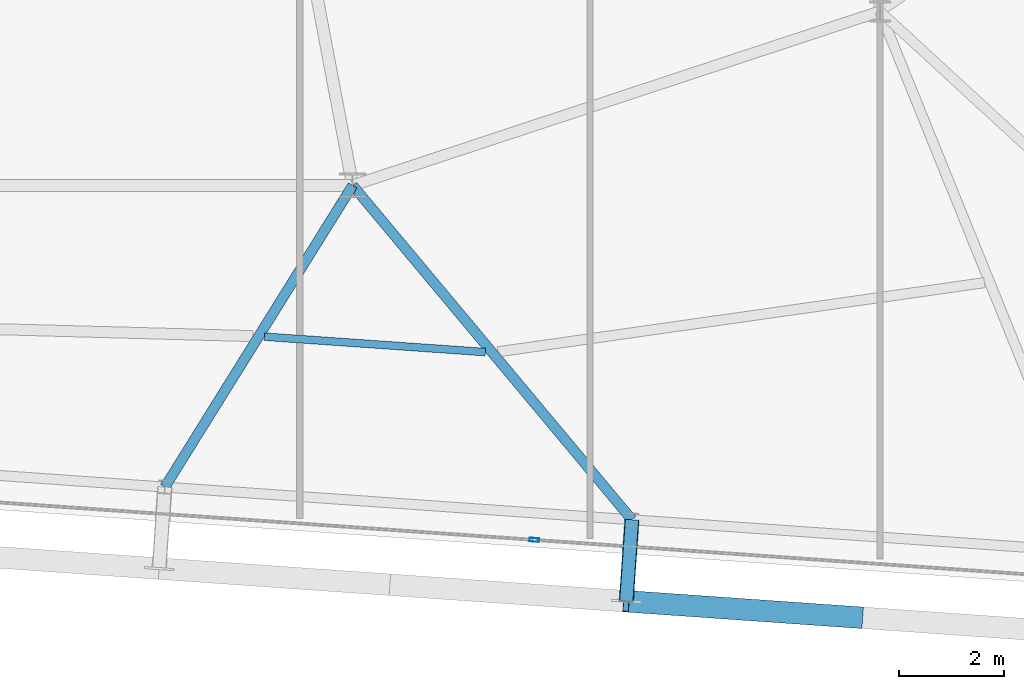
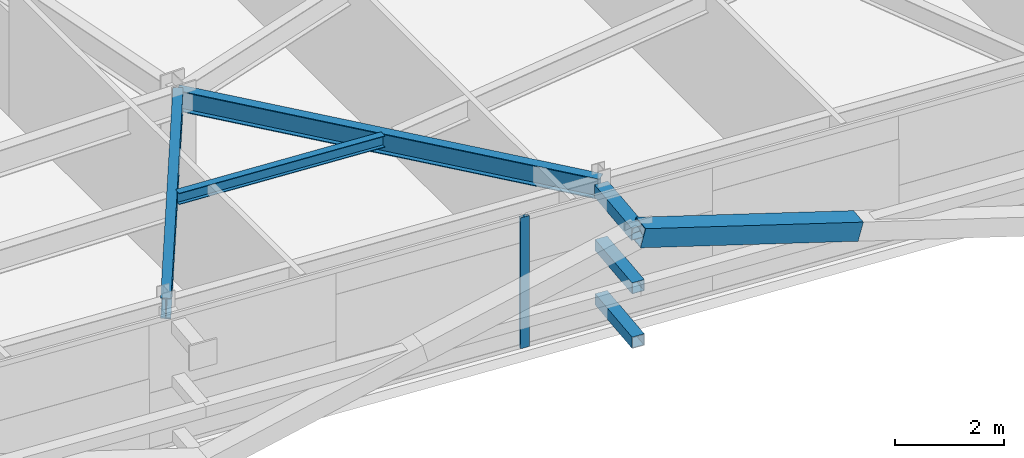
# One storey, part 13 of 39: 5 members, 3 beams, 1 element without a shape of its own.
"""IFC4 building model written with IfcOpenShell, lengths in metres."""

from ifc_helpers import new_model, si_unit, direction, frame, origin, origin_2d, place, context, subcontext, project, spatial, hollow_rectangle, i_section, extrude, source, transform, mapped, material, layer, layer_set, material_profile, profile_set, type_object, element, aggregate, save


model = new_model("IFC4")

# Units and contexts
model_context = context("Model", 3, precision=1e-05, world=origin(), true_north=direction((0.0, 1.0)))
body_context = subcontext(model_context, "Body", "Model", "MODEL_VIEW")
ifc_project = project(units=[si_unit("LENGTHUNIT", "METRE"), si_unit("AREAUNIT", "SQUARE_METRE"), si_unit("VOLUMEUNIT", "CUBIC_METRE"), si_unit("PLANEANGLEUNIT", "RADIAN"), si_unit("MASSUNIT", "GRAM", prefix="KILO")], contexts=[model_context])

# Site, building, storey
site_placement = place(None, origin())
site = spatial("IfcSite", under=ifc_project, at=site_placement, CompositionType="ELEMENT")
building_placement = place(site_placement, origin())
building = spatial("IfcBuilding", under=site, at=building_placement, Name="Taldren Reach Tower", CompositionType="ELEMENT")
storey_placement = place(building_placement, frame((0.0, 0.0, 123.550048828125)))
storey = spatial("IfcBuildingStorey", under=building, at=storey_placement, Name="L37", CompositionType="ELEMENT", Elevation=123.550048828125)

# Members
ifc_material_1 = material(Name="Steel Gr 450 (C450L0)", Category="steel")
ifc_material_profile_1 = material_profile(ifc_material_1, hollow_rectangle(XDim=0.27490234375, YDim=0.27490234375, WallThickness=0.00927734375, at=origin_2d()), Name="275x275x9.3SHS")
ifc_profile_set_1 = profile_set([ifc_material_profile_1], Name="Steel Gr 450 (C450L0)")
member_type_1 = type_object("IfcMemberType", Name="MB-TIE273", PredefinedType="STRUT", material=ifc_profile_set_1)
shared_shape_1 = source(origin(), body_context, "Body", "SweptSolid", [
    extrude(hollow_rectangle(XDim=0.27490234375, YDim=0.27490234375, WallThickness=0.00927734375, at=origin_2d()), origin(), (0.0, 0.0, 1.0), 1.5498046875),
])
member_1_placement = place(storey_placement, frame((47.297119140625, 2.860595703125, 2.64990234375), z_axis=(-0.069780535098, -0.997562367434, 0.0), x_axis=(0.997562367434, -0.069780535098, 0.0)))
element("IfcMember", 1, at=member_1_placement, inside=storey, type_object=member_type_1, Name="Exoskeleton diaphragm tie strut B3-S5 L37", PredefinedType="STRUT", context=body_context, shape_type="MappedRepresentation", body=[
    mapped(shared_shape_1, transform((0.0, 0.0, 0.0), scale=1.0)),
])
ifc_material_2 = material(Name="Steel Gr 350 (C350L0)", Category="steel")
ifc_material_profile_2 = material_profile(ifc_material_2, hollow_rectangle(XDim=0.25, YDim=0.25, WallThickness=0.010009765625, at=origin_2d()), Name="250x250x10.0SHS")
ifc_profile_set_2 = profile_set([ifc_material_profile_2], Name="Steel Gr 350 (C350L0)")
member_type_2 = type_object("IfcMemberType", Name="MB-POST250", PredefinedType="POST", material=ifc_profile_set_2)
shared_shape_2 = source(origin(), body_context, "Body", "SweptSolid", [
    extrude(hollow_rectangle(XDim=0.25, YDim=0.25, WallThickness=0.010009765625, at=origin_2d()), origin(), (0.0, 0.0, 1.0), 1.5498046875),
])
for number, where, z_axis, x_axis, name in (
    (2, (47.297119140625, 2.860595703125, 0.219970703125), (-0.069780535098, -0.997562367434, 0.0), (0.997562367434, -0.069780535098, 0.0), "Exoskeleton base diaphragm tie strut B3-S5 L37"),
    (3, (47.297119140625, 2.860595703125, 1.43505859375), (-0.069780535098, -0.997562367434, 0.0), (0.997562367434, -0.069780535098, 0.0), "Exoskeleton mid-tier diaphragm tie B3-S5 L37"),
):
    element("IfcMember", number, at=place(storey_placement, frame(where, z_axis=z_axis, x_axis=x_axis)), inside=storey, type_object=member_type_2, Name=name, PredefinedType="POST", context=body_context, shape_type="MappedRepresentation", body=[
        mapped(shared_shape_2, transform((0.0, 0.0, 0.0), scale=1.0)),
    ])

# Beams
ifc_material_3 = material(Name="Steel Gr 350 (350PLUS)", Category="steel")
ifc_material_profile_3 = material_profile(ifc_material_3, i_section(OverallWidth=0.19091796875, OverallDepth=0.4599609375, WebThickness=0.010009765625, FlangeThickness=0.01611328125, at=origin_2d()), Name="460UB82.1")
ifc_profile_set_3 = profile_set([ifc_material_profile_3], Name="Steel Gr 350 (350PLUS)")
beam_type_1 = type_object("IfcBeamType", Name="BM-UB460A", PredefinedType="BEAM", material=ifc_profile_set_3)
shared_shape_3 = source(origin(), body_context, "Body", "SweptSolid", [
    extrude(i_section(OverallWidth=0.19091796875, OverallDepth=0.4599609375, WebThickness=0.010009765625, FlangeThickness=0.01611328125, at=origin_2d()), origin(), (0.0, 0.0, 1.0), 6.73779296875),
])
beam_1_placement = place(storey_placement, frame((42.0, 9.199951171875, 2.699951171875), z_axis=(-0.528552048024, -0.848900896765, 0.0), x_axis=(0.848900896765, -0.528552048024, 0.0)))
element("IfcBeam", 4, at=beam_1_placement, inside=storey, type_object=beam_type_1, Name="Primary floor girder B3-S4 L37", PredefinedType="BEAM", context=body_context, shape_type="MappedRepresentation", body=[
    mapped(shared_shape_3, transform((0.0, 0.0, 0.0), scale=1.0)),
])
shared_shape_4 = source(origin(), body_context, "Body", "SweptSolid", [
    extrude(i_section(OverallWidth=0.19091796875, OverallDepth=0.4599609375, WebThickness=0.010009765625, FlangeThickness=0.01611328125, at=origin_2d()), origin(), (0.0, 0.0, 1.0), 8.26123046875),
])
beam_2_placement = place(storey_placement, frame((42.0, 9.199951171875, 2.699951171875), z_axis=(0.64120703686, -0.767367927322, 0.0), x_axis=(0.767367927322, 0.64120703686, 0.0)))
element("IfcBeam", 5, at=beam_2_placement, inside=storey, type_object=beam_type_1, Name="Primary floor girder B3-S5 L37", PredefinedType="BEAM", context=body_context, shape_type="MappedRepresentation", body=[
    mapped(shared_shape_4, transform((0.0, 0.0, 0.0), scale=1.0)),
])
ifc_material_4 = material(Name="Steel Gr 300 (300PLUS, 300 MPa)", Category="steel")
ifc_material_profile_4 = material_profile(ifc_material_4, i_section(OverallWidth=0.14599609375, OverallDepth=0.256103515625, WebThickness=0.00634765625, FlangeThickness=0.010986328125, at=origin_2d()), Name="250UB37.3")
ifc_profile_set_4 = profile_set([ifc_material_profile_4], Name="Steel Gr 300 (300PLUS, 300 MPa)")
beam_type_2 = type_object("IfcBeamType", Name="JS-UB250", PredefinedType="JOIST", material=ifc_profile_set_4)
shared_shape_5 = source(origin(), body_context, "Body", "SweptSolid", [
    extrude(i_section(OverallWidth=0.14599609375, OverallDepth=0.256103515625, WebThickness=0.00634765625, FlangeThickness=0.010986328125, at=origin_2d()), origin(), (0.0, 0.0, 1.0), 4.199462890625),
])
beam_3_placement = place(storey_placement, frame((40.3271484375, 6.33251953125, 2.802001953125), z_axis=(0.99756354117, -0.069763753681, 0.0), x_axis=(0.069763753681, 0.99756354117, 0.0)))
element("IfcBeam", 6, at=beam_3_placement, inside=storey, type_object=beam_type_2, Name="Secondary floor joist B3 J4 L37", PredefinedType="JOIST", context=body_context, shape_type="MappedRepresentation", body=[
    mapped(shared_shape_5, transform((0.0, 0.0, 0.0), scale=1.0)),
])

# Member
ifc_material_profile_5 = material_profile(ifc_material_1, hollow_rectangle(XDim=0.409912109375, YDim=0.409912109375, WallThickness=0.01611328125, at=origin_2d()), Name="410x410x16.0SHS")
ifc_profile_set_5 = profile_set([ifc_material_profile_5], Name="Steel Gr 450 (C450L0)")
member_type_3 = type_object("IfcMemberType", Name="MB-EXO406", PredefinedType="BRACE", material=ifc_profile_set_5)
shared_shape_6 = source(origin(), body_context, "Body", "SweptSolid", [
    extrude(hollow_rectangle(XDim=0.409912109375, YDim=0.409912109375, WallThickness=0.01611328125, at=origin_2d()), origin(), (0.0, 0.0, 1.0), 4.603271484375),
])
member_2_placement = place(storey_placement, frame((51.6181640625, 1.004638671875, 1.43505859375), z_axis=(-0.962195820062, 0.067303852699, 0.263911718699), x_axis=(-0.06977769246, -0.997562566276, 0.0)))
element("IfcMember", 7, at=member_2_placement, inside=storey, type_object=member_type_3, Name="Exoskeleton Diagrid Brace B3-S5 L37", PredefinedType="BRACE", context=body_context, shape_type="MappedRepresentation", body=[
    mapped(shared_shape_6, transform((0.0, 0.0, 0.0), scale=1.0)),
])

# Curtain wall, member
ifc_material_5 = material(Name="Aluminium and Low-E Glass Unitised System", Category="aluminium")
ifc_layer = layer(ifc_material_5, 0.159912109375)
ifc_layer_set = layer_set([ifc_layer], Name="Aluminium and Low-E Glass Unitised System")
curtain_wall_type = type_object("IfcCurtainWallType", Name="CW-SYS-4", PredefinedType="NOTDEFINED", material=ifc_layer_set)
curtain_wall_placement = place(storey_placement, origin())
curtain_wall = element("IfcCurtainWall", 8, at=curtain_wall_placement, inside=storey, type_object=curtain_wall_type, Name="Unitised curtain wall CW-L37-S", PredefinedType="NOTDEFINED")
ifc_material_6 = material(Name="Anodised Aluminium 6063-T6", Category="aluminium")
ifc_material_profile_6 = material_profile(ifc_material_6, hollow_rectangle(XDim=0.070068359375, YDim=0.179931640625, WallThickness=0.00390625, at=origin_2d()), Name="ALU-180x70x4RHS")
ifc_profile_set_6 = profile_set([ifc_material_profile_6], Name="Anodised Aluminium 6063-T6")
member_type_4 = type_object("IfcMemberType", Name="CW-MUL-180", PredefinedType="MULLION", material=ifc_profile_set_6)
shared_shape_7 = source(origin(), body_context, "Body", "SweptSolid", [
    extrude(hollow_rectangle(XDim=0.070068359375, YDim=0.179931640625, WallThickness=0.00390625, at=origin_2d()), origin(), (0.0, 0.0, 1.0), 2.929931640625),
])
member_3_placement = place(storey_placement, frame((45.44580078125, 2.478759765625, 0.0), z_axis=(0.0, 0.0, 1.0), x_axis=(0.06975651593, 0.99756404731, 0.0)))
member_3 = element("IfcMember", 9, at=member_3_placement, type_object=member_type_4, Name="CW-4 mullion 4", PredefinedType="MULLION", context=body_context, shape_type="MappedRepresentation", body=[
    mapped(shared_shape_7, transform((0.0, 0.0, 0.0), scale=1.0)),
])
aggregate(curtain_wall, [member_3])

save(model, "model.ifc")
